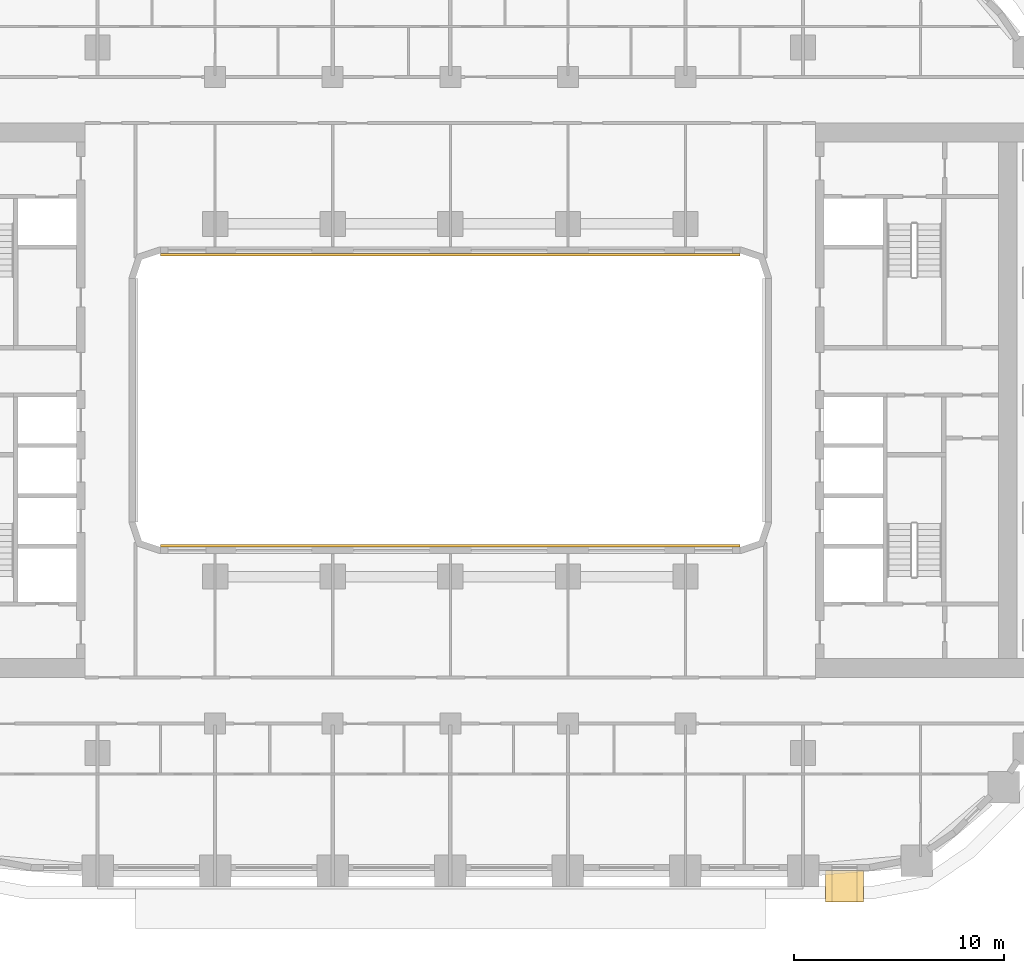
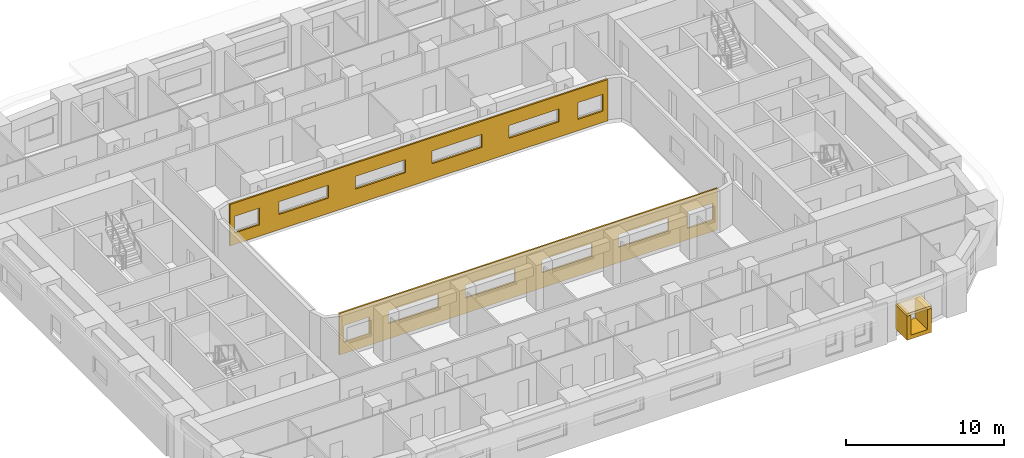
# One storey, part 15 of 21: 4 coverings.
"""IFC4 building model written with IfcOpenShell, lengths in metres."""

import ifcopenshell
import ifcopenshell.guid

model = None  # the IFC model being written
_history = None  # IfcOwnerHistory: only IFC2X3 demands one
_inside = {}  # id of a spatial element -> (the spatial element, [elements in it])
_under = {}  # id of a project, library or spatial element -> (it, [spatial elements below it])
_declared = {}  # id of a project -> (the project, [libraries it declares])
_typed = {}  # id of a type object -> (the type object, [elements of that type])
_made_of = {}  # id of a material, layer set ... -> (it, [elements and type objects made of it])


def new_model(schema):
    """Start an empty IFC model of exactly this schema.

    Asked for "IFC4X3", IfcOpenShell would pick the latest addendum, in which some entities
    have other attributes; the version numbers below select the first issue.
    IFC2X3 requires an IfcOwnerHistory on every rooted entity: one is made here for all.
    """
    global model, _history
    if schema == "IFC4X3":
        model = ifcopenshell.file(schema_version=(4, 3, 0, 0))
    else:
        model = ifcopenshell.file(schema=schema)
    _inside.clear()
    _under.clear()
    _declared.clear()
    _typed.clear()
    _made_of.clear()
    _history = None
    if model.schema == "IFC2X3":
        org = make("IfcOrganization", Name="unknown")
        user = make(
            "IfcPersonAndOrganization",
            ThePerson=make("IfcPerson", FamilyName="unknown"),
            TheOrganization=org,
        )
        app = make(
            "IfcApplication",
            ApplicationDeveloper=org,
            Version="unknown",
            ApplicationFullName="unknown",
            ApplicationIdentifier="unknown",
        )
        _history = make(
            "IfcOwnerHistory",
            OwningUser=user,
            OwningApplication=app,
            ChangeAction="ADDED",
            CreationDate=0,
        )
    return model


def make(cls, **values):
    """One entity of the class cls with the attributes given. An attribute that is None is left unset."""
    return model.create_entity(
        cls, **{name: value for name, value in values.items() if value is not None}
    )


def rooted(cls, **values):
    """An entity with a GlobalId (a new one), such as an element, a storey or a relation."""
    return make(cls, GlobalId=ifcopenshell.guid.new(), OwnerHistory=_history, **values)


def si_unit(unit_type, name, prefix=None):
    """IfcSIUnit, for example si_unit("LENGTHUNIT", "METRE", prefix="MILLI")."""
    return make("IfcSIUnit", UnitType=unit_type, Prefix=prefix, Name=name)


def assignment(units):
    """IfcUnitAssignment: the units of a project."""
    return None if units is None else make("IfcUnitAssignment", Units=units)


def point(xyz):
    """IfcCartesianPoint."""
    return None if xyz is None else make("IfcCartesianPoint", Coordinates=xyz)


def direction(xyz):
    """IfcDirection."""
    return None if xyz is None else make("IfcDirection", DirectionRatios=xyz)


def frame(location, z_axis=None, x_axis=None):
    """IfcAxis2Placement3D, a coordinate frame: its origin and axes. An axis left out is left unset."""
    return make(
        "IfcAxis2Placement3D",
        Location=point(location),
        Axis=direction(z_axis),
        RefDirection=direction(x_axis),
    )


def frame_2d(location, x_axis=None):
    """IfcAxis2Placement2D, a coordinate frame in the plane: its origin and x axis."""
    return make(
        "IfcAxis2Placement2D", Location=point(location), RefDirection=direction(x_axis)
    )


def origin():
    """The frame at (0, 0, 0) with its axes left unset."""
    return frame((0.0, 0.0, 0.0))


def origin_2d():
    """The frame at (0, 0) in the plane with its x axis left unset."""
    return frame_2d((0.0, 0.0))


def place(relative_to, where):
    """IfcLocalPlacement: puts the frame where relative to a parent placement (None: the world)."""
    return make(
        "IfcLocalPlacement", PlacementRelTo=relative_to, RelativePlacement=where
    )


def context(
    kind, dimensions, precision=None, world=None, true_north=None, identifier=None
):
    """IfcGeometricRepresentationContext, for example the 3D "Model" context."""
    return make(
        "IfcGeometricRepresentationContext",
        ContextIdentifier=identifier,
        ContextType=kind,
        CoordinateSpaceDimension=dimensions,
        Precision=precision,
        WorldCoordinateSystem=world,
        TrueNorth=true_north,
    )


def subcontext(parent, identifier, kind, view, scale=None):
    """IfcGeometricRepresentationSubContext, for example "Body" below "Model"."""
    return make(
        "IfcGeometricRepresentationSubContext",
        ContextIdentifier=identifier,
        ContextType=kind,
        ParentContext=parent,
        TargetScale=scale,
        TargetView=view,
    )


def project(units=None, contexts=None):
    """IfcProject with its units and contexts."""
    return rooted(
        "IfcProject",
        Name="project",
        RepresentationContexts=contexts,
        UnitsInContext=assignment(units),
    )


def spatial(cls, under=None, at=None, **own):
    """A site, building, storey or space (cls), placed at a placement, below another one or the project."""
    s = rooted(cls, ObjectPlacement=at, **own)
    if under is not None:
        _under.setdefault(under.id(), (under, []))[1].append(s)
    return s


def polyline(points):
    """IfcPolyline through the points."""
    return make("IfcPolyline", Points=[point(p) for p in points])


def profile(cls, at=None, kind="AREA", **sizes):
    """A parametric profile (cls). Its sizes go by their IFC names, for example OverallWidth=200.0."""
    return make(cls, ProfileType=kind, Position=at, **sizes)


def rectangle(**sizes):
    """IfcRectangleProfileDef."""
    return profile("IfcRectangleProfileDef", **sizes)


def outline(outer, holes=None, kind="AREA"):
    """IfcArbitraryClosedProfileDef: a profile drawn as a closed curve; with holes, ...WithVoids."""
    if holes is None:
        return make("IfcArbitraryClosedProfileDef", ProfileType=kind, OuterCurve=outer)
    return make(
        "IfcArbitraryProfileDefWithVoids",
        ProfileType=kind,
        OuterCurve=outer,
        InnerCurves=holes,
    )


def extrude(swept, where, along, depth):
    """IfcExtrudedAreaSolid: the profile swept, set in the frame where, extruded along a direction by depth."""
    return make(
        "IfcExtrudedAreaSolid",
        SweptArea=swept,
        Position=where,
        ExtrudedDirection=direction(along),
        Depth=depth,
    )


def shape(context_of_items, identifier, shape_type, items):
    """IfcShapeRepresentation: the items that make up one representation, for example the "Body"."""
    return make(
        "IfcShapeRepresentation",
        ContextOfItems=context_of_items,
        RepresentationIdentifier=identifier,
        RepresentationType=shape_type,
        Items=items,
    )


def material(Name=None, Category=None):
    """IfcMaterial."""
    return make("IfcMaterial", Name=Name, Category=Category)


def layer(
    of_material, thickness, ventilated=None, Name=None, Category=None, Priority=None
):
    """IfcMaterialLayer: one layer of a wall or slab, of a material (None: an air gap)."""
    return make(
        "IfcMaterialLayer",
        Material=of_material,
        LayerThickness=thickness,
        IsVentilated=ventilated,
        Name=Name,
        Category=Category,
        Priority=Priority,
    )


def layer_set(layers, Name=None):
    """IfcMaterialLayerSet."""
    return make("IfcMaterialLayerSet", MaterialLayers=layers, LayerSetName=Name)


def made_of(thing, what):
    """Note that an element or type object is made of a material, layer set ...; save() writes the relation."""
    if what is not None:
        _made_of.setdefault(what.id(), (what, []))[1].append(thing)
    return thing


def type_object(cls, material=None, **own):
    """A type object (cls), such as IfcWallType, which elements share."""
    return made_of(rooted(cls, **own), material)


def element(
    cls,
    number,
    at=None,
    inside=None,
    cuts=None,
    type_object=None,
    material=None,
    context=None,
    identifier="Body",
    shape_type=None,
    held_by="IfcProductDefinitionShape",
    body=None,
    shapes=None,
    **own,
):
    """One element of the class cls, such as IfcWall. Its Tag is "e" and its number.

    at: its placement. inside: the storey or other place that contains it. cuts: it is an
    opening in that element (IfcRelVoidsElement). A single representation is given by context,
    identifier, shape_type and body (its items); several are given by shapes. held_by: the class
    of the entity that holds the representations. save() writes the other relations.
    """
    e = rooted(cls, Tag="e%d" % number, ObjectPlacement=at, **own)
    if body is not None:
        shapes = [shape(context, identifier, shape_type, body)]
    if shapes is not None:
        e.Representation = make(held_by, Representations=shapes)
    if inside is not None:
        _inside.setdefault(inside.id(), (inside, []))[1].append(e)
    if cuts is not None:
        rooted(
            "IfcRelVoidsElement", RelatingBuildingElement=cuts, RelatedOpeningElement=e
        )
    if type_object is not None:
        _typed.setdefault(type_object.id(), (type_object, []))[1].append(e)
    return made_of(e, material)


def aggregate(whole, parts):
    """IfcRelAggregates: a whole, such as a stair, and the parts it consists of."""
    return rooted("IfcRelAggregates", RelatingObject=whole, RelatedObjects=parts)


def save(model, path):
    """Write the relations noted so far, then the file.

    IfcRelAggregates (storeys below a building ...), IfcRelContainedInSpatialStructure (elements
    in a storey), IfcRelDefinesByType, IfcRelAssociatesMaterial and IfcRelDeclares: one each for
    every whole, place, type object, material and project.
    """
    for whole, parts in _under.values():
        aggregate(whole, parts)
    for where, things in _inside.values():
        rooted(
            "IfcRelContainedInSpatialStructure",
            RelatedElements=things,
            RelatingStructure=where,
        )
    for kind, things in _typed.values():
        rooted("IfcRelDefinesByType", RelatedObjects=things, RelatingType=kind)
    for what, things in _made_of.values():
        rooted("IfcRelAssociatesMaterial", RelatedObjects=things, RelatingMaterial=what)
    for by, libraries in _declared.values():
        rooted("IfcRelDeclares", RelatingContext=by, RelatedDefinitions=libraries)
    model.write(path)


model = new_model("IFC4")

# Units and contexts
model_context = context("Model", 3, precision=1e-05, world=origin(), true_north=direction((0.0, 1.0)))
body_context = subcontext(model_context, "Body", "Model", "MODEL_VIEW")
ifc_project = project(units=[si_unit("LENGTHUNIT", "METRE"), si_unit("AREAUNIT", "SQUARE_METRE"), si_unit("VOLUMEUNIT", "CUBIC_METRE"), si_unit("PLANEANGLEUNIT", "RADIAN"), si_unit("MASSUNIT", "GRAM", prefix="KILO")], contexts=[model_context])

# Site, building, storey
site_placement = place(None, origin())
site = spatial("IfcSite", under=ifc_project, at=site_placement, CompositionType="ELEMENT")
building_placement = place(site_placement, origin())
building = spatial("IfcBuilding", under=site, at=building_placement, Name="Kiln Ring Residences", CompositionType="ELEMENT")
storey_placement = place(building_placement, frame((0.0, 0.0, 34.0)))
storey = spatial("IfcBuildingStorey", under=building, at=storey_placement, Name="L07", CompositionType="ELEMENT", Elevation=34.0)

# Coverings
ifc_material_1 = material(Name="Brick masonry, dark clay brick", Category="masonry")
ifc_layer_1 = layer(ifc_material_1, 0.300048828125)
ifc_layer_set_1 = layer_set([ifc_layer_1], Name="FRAME CHEEKS AND SILL 1500")
covering_type_1 = type_object("IfcCoveringType", Name="FRAME CHEEKS AND SILL 1500", PredefinedType="CLADDING", material=ifc_layer_set_1)
covering_1_placement = place(storey_placement, frame((17.875, -23.14990234375, 0.300048828125), z_axis=(0.0, 0.0, 1.0), x_axis=(1.0, 0.0, 0.0)))
element("IfcCovering", 1, at=covering_1_placement, inside=storey, type_object=covering_type_1, Name="FRAME L07", PredefinedType="CLADDING", context=body_context, shape_type="SweptSolid", body=[
    extrude(outline(polyline([(0.0, 0.0), (1.800048828125, 0.0), (1.800048828125, 1.849853515625), (1.5009765625, 1.849853515625), (1.5, 0.300048828125), (0.300048828125, 0.300048828125), (0.299072265625, 1.849853515625), (0.0, 1.849853515625), (0.0, 0.0)])), frame((0.0, 0.75, 0.0), z_axis=(0.0, -1.0, 0.0), x_axis=(1.0, 0.0, 0.0)), (0.0, 0.0, 1.0), 1.5),
])
ifc_material_2 = material(Name="Brick masonry, dark clay brick", Category="masonry")
ifc_layer_2 = layer(ifc_material_2, 0.199951171875)
ifc_layer_set_2 = layer_set([ifc_layer_2], Name="FRAME HEAD 1500")
covering_type_2 = type_object("IfcCoveringType", Name="FRAME HEAD 1500", PredefinedType="CLADDING", material=ifc_layer_set_2)
covering_2_placement = place(storey_placement, frame((18.77490234375, -23.14990234375, 2.14990234375), z_axis=(0.0, 0.0, 1.0), x_axis=(1.0, 0.0, 0.0)))
element("IfcCovering", 2, at=covering_2_placement, inside=storey, type_object=covering_type_2, Name="FRAME HEAD L07", PredefinedType="CLADDING", context=body_context, shape_type="SweptSolid", body=[
    extrude(rectangle(XDim=1.800048828125, YDim=1.5, at=origin_2d()), origin(), (0.0, 0.0, 1.0), 0.199951171875),
])
ifc_material_3 = material(Name="Brick masonry, dark clay brick", Category="masonry")
ifc_layer_3 = layer(ifc_material_3, 0.1201171875)
ifc_layer_set_3 = layer_set([ifc_layer_3], Name="RAINSCREEN PANEL 120")
covering_type_3 = type_object("IfcCoveringType", Name="RAINSCREEN PANEL 120", PredefinedType="CLADDING", material=ifc_layer_set_3)
for number, where, z_axis, x_axis, name in (
    (3, (-13.800048828125, 6.93994140625, 0.0), (0.0, 0.0, 1.0), (1.0, 0.0, 0.0), "RAINSCREEN L07"),
    (4, (13.800048828125, -6.93994140625, 0.0), (0.0, 0.0, 1.0), (-1.0, 0.0, 0.0), "RAINSCREEN L07"),
):
    element("IfcCovering", number, at=place(storey_placement, frame(where, z_axis=z_axis, x_axis=x_axis)), inside=storey, type_object=covering_type_3, Name=name, PredefinedType="CLADDING", context=body_context, shape_type="SweptSolid", body=[
        extrude(outline(polyline([(0.0, 0.0), (27.60009765625, 0.0), (27.60009765625, 3.199951171875), (0.0, 3.199951171875), (0.0, 0.0)]), holes=[polyline([(2.1826171875, 0.8798828125), (2.1826171875, 2.169921875), (0.342529296875, 2.169921875), (0.342529296875, 0.8798828125), (2.1826171875, 0.8798828125)]), polyline([(25.41748046875, 0.8798828125), (27.257568359375, 0.8798828125), (27.257568359375, 2.169921875), (25.41748046875, 2.169921875), (25.41748046875, 0.8798828125)]), polyline([(3.580078125, 1.179931640625), (7.219970703125, 1.179931640625), (7.219970703125, 2.169921875), (3.580078125, 2.169921875), (3.580078125, 1.179931640625)]), polyline([(12.820068359375, 1.179931640625), (12.820068359375, 2.169921875), (9.179931640625, 2.169921875), (9.179931640625, 1.179931640625), (12.820068359375, 1.179931640625)]), polyline([(14.780029296875, 1.179931640625), (18.419921875, 1.179931640625), (18.419921875, 2.169921875), (14.780029296875, 2.169921875), (14.780029296875, 1.179931640625)]), polyline([(20.3798828125, 1.179931640625), (24.02001953125, 1.179931640625), (24.02001953125, 2.169921875), (20.3798828125, 2.169921875), (20.3798828125, 1.179931640625)])]), frame((0.0, 0.06005859375, 0.0), z_axis=(0.0, -1.0, 0.0), x_axis=(1.0, 0.0, 0.0)), (0.0, 0.0, 1.0), 0.1201171875),
    ])

save(model, "model.ifc")
